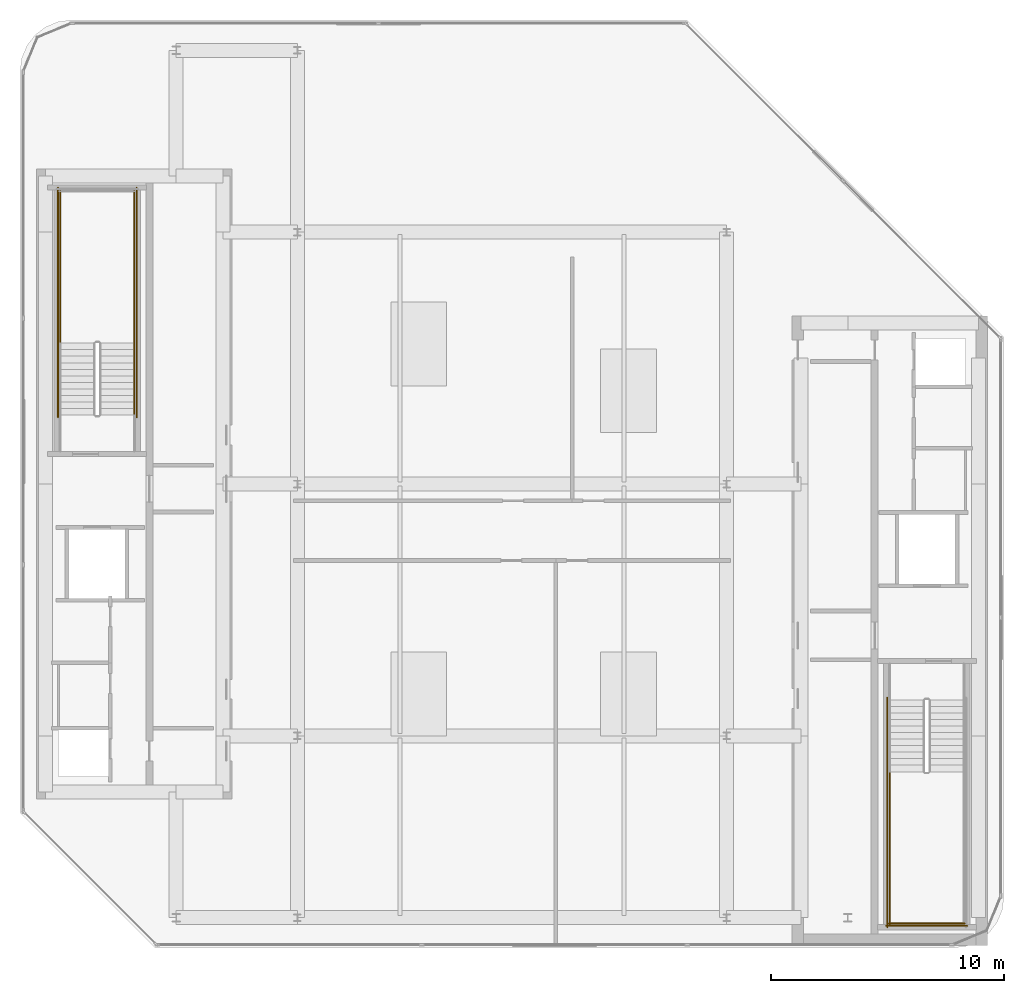
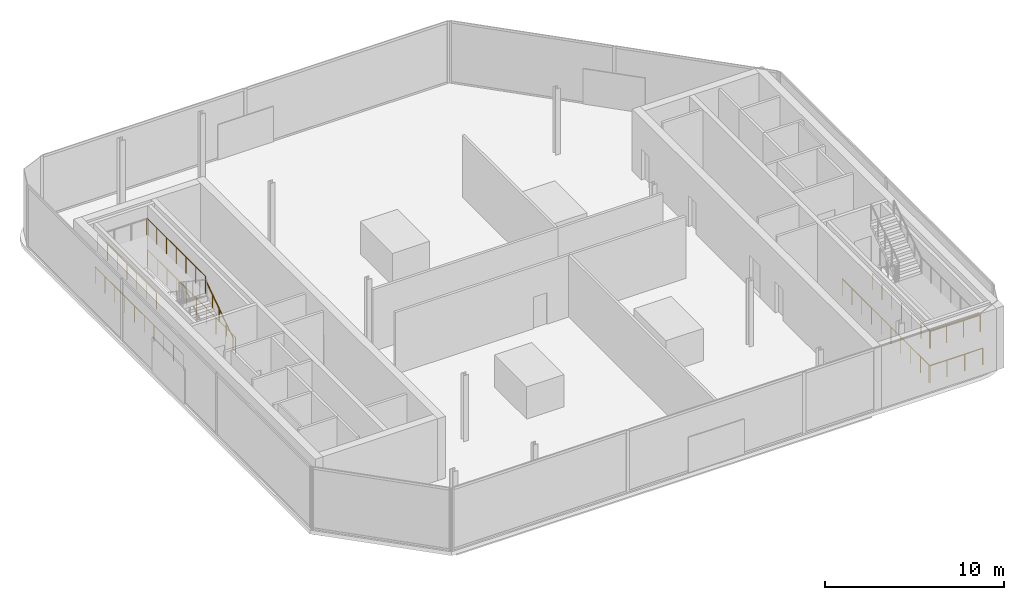
# One storey, part 13 of 15: 9 railings.
"""IFC4 building model written with IfcOpenShell, lengths in metres."""

from ifc_helpers import new_model, si_unit, direction, frame, origin, origin_2d, place, context, subcontext, project, spatial, circle, extrude, material, type_object, element, save


model = new_model("IFC4")

# Units and contexts
model_context = context("Model", 3, precision=1e-05, world=origin(), true_north=direction((0.0, 1.0)))
body_context = subcontext(model_context, "Body", "Model", "MODEL_VIEW")
ifc_project = project(units=[si_unit("LENGTHUNIT", "METRE"), si_unit("AREAUNIT", "SQUARE_METRE"), si_unit("VOLUMEUNIT", "CUBIC_METRE"), si_unit("PLANEANGLEUNIT", "RADIAN"), si_unit("MASSUNIT", "GRAM", prefix="KILO")], contexts=[model_context])

# Site, building, storey
site_placement = place(None, origin())
site = spatial("IfcSite", under=ifc_project, at=site_placement, CompositionType="ELEMENT")
building_placement = place(site_placement, origin())
building = spatial("IfcBuilding", under=site, at=building_placement, Name="Khairoan Windgate Tower", CompositionType="ELEMENT")
storey_placement = place(building_placement, frame((0.0, 0.0, 335.0)))
storey = spatial("IfcBuildingStorey", under=building, at=storey_placement, Name="L80", CompositionType="ELEMENT", Elevation=335.0)

# Railings
ifc_material_1 = material(Name="Anodised Bronze Aluminium 6063-T6", Category="aluminium")
railing_type_1 = type_object("IfcRailingType", Name="Stair Wall Handrail SHR-900", PredefinedType="HANDRAIL", material=ifc_material_1)
railing_1_placement = place(storey_placement, frame((-16.199951171875, 2.9599609375, 0.1875)))
element("IfcRailing", 1, at=railing_1_placement, inside=storey, type_object=railing_type_1, Name="L80 ST2 stair handrail 1", PredefinedType="HANDRAIL", context=body_context, shape_type="SweptSolid", body=[
    extrude(circle(Radius=0.02392578125, at=origin_2d()), frame((0.0, 0.0, 0.8759765625), z_axis=(0.0, 0.830913701846, 0.55640131208), x_axis=(-1.0, 0.0, 0.0)), (0.0, 0.0, 1.0), 3.706787109375),
    extrude(circle(Radius=0.02099609375, at=origin_2d()), origin(), (0.0, 0.0, 1.0), 0.851806640625),
    extrude(circle(Radius=0.02099609375, at=origin_2d()), frame((0.0, 0.77001953125, 0.515625)), (0.0, 0.0, 1.0), 0.851806640625),
    extrude(circle(Radius=0.02099609375, at=origin_2d()), frame((0.0, 1.5400390625, 1.03125)), (0.0, 0.0, 1.0), 0.851806640625),
    extrude(circle(Radius=0.02099609375, at=origin_2d()), frame((0.0, 2.31005859375, 1.546875)), (0.0, 0.0, 1.0), 0.851806640625),
    extrude(circle(Radius=0.02099609375, at=origin_2d()), frame((0.0, 3.080078125, 2.0625)), (0.0, 0.0, 1.0), 0.851806640625),
])
ifc_material_2 = material(Name="Steel S355", Category="steel")
railing_type_2 = type_object("IfcRailingType", Name="Stairwell Safety Guardrail SGR-1150", PredefinedType="GUARDRAIL", material=ifc_material_2)
railing_2_placement = place(storey_placement, frame((16.199951171875, -12.340087890625, 2.25)))
element("IfcRailing", 2, at=railing_2_placement, inside=storey, type_object=railing_type_2, Name="L80 ST1 stair guard 3", PredefinedType="GUARDRAIL", context=body_context, shape_type="SweptSolid", body=[
    extrude(circle(Radius=0.02392578125, at=origin_2d()), frame((0.0, 0.0, 1.1259765625), z_axis=(0.0, -1.0, 0.0), x_axis=(1.0, 0.0, 0.0)), (0.0, 0.0, 1.0), 6.559814453125),
    extrude(circle(Radius=0.02099609375, at=origin_2d()), origin(), (0.0, 0.0, 1.0), 1.101806640625),
    extrude(circle(Radius=0.02099609375, at=origin_2d()), frame((0.0, -1.09326171875, 0.0)), (0.0, 0.0, 1.0), 1.101806640625),
    extrude(circle(Radius=0.02099609375, at=origin_2d()), frame((0.0, -2.1865234375, 0.0)), (0.0, 0.0, 1.0), 1.101806640625),
    extrude(circle(Radius=0.02099609375, at=origin_2d()), frame((0.0, -3.27978515625, 0.0)), (0.0, 0.0, 1.0), 1.101806640625),
    extrude(circle(Radius=0.02099609375, at=origin_2d()), frame((0.0, -4.373291015625, 0.0)), (0.0, 0.0, 1.0), 1.101806640625),
    extrude(circle(Radius=0.02099609375, at=origin_2d()), frame((0.0, -5.466552734375, 0.0)), (0.0, 0.0, 1.0), 1.101806640625),
    extrude(circle(Radius=0.02099609375, at=origin_2d()), frame((0.0, -6.559814453125, 0.0)), (0.0, 0.0, 1.0), 1.101806640625),
])
railing_3_placement = place(storey_placement, frame((16.14990234375, -18.85009765625, 2.25)))
element("IfcRailing", 3, at=railing_3_placement, inside=storey, type_object=railing_type_2, Name="L80 ST1 stair guard 5", PredefinedType="GUARDRAIL", context=body_context, shape_type="SweptSolid", body=[
    extrude(circle(Radius=0.02392578125, at=origin_2d()), frame((0.0, 0.0, 1.1259765625), z_axis=(1.0, 0.0, 0.0), x_axis=(0.0, 1.0, 0.0)), (0.0, 0.0, 1.0), 3.27001953125),
    extrude(circle(Radius=0.02099609375, at=origin_2d()), origin(), (0.0, 0.0, 1.0), 1.101806640625),
    extrude(circle(Radius=0.02099609375, at=origin_2d()), frame((1.090087890625, 0.0, 0.0)), (0.0, 0.0, 1.0), 1.101806640625),
    extrude(circle(Radius=0.02099609375, at=origin_2d()), frame((2.179931640625, 0.0, 0.0)), (0.0, 0.0, 1.0), 1.101806640625),
    extrude(circle(Radius=0.02099609375, at=origin_2d()), frame((3.27001953125, 0.0, 0.0)), (0.0, 0.0, 1.0), 1.101806640625),
])
railing_4_placement = place(storey_placement, frame((16.10009765625, -9.159912109375, 0.0)))
element("IfcRailing", 4, at=railing_4_placement, inside=storey, type_object=railing_type_2, Name="L80 ST1 stair guard 10", PredefinedType="GUARDRAIL", context=body_context, shape_type="SweptSolid", body=[
    extrude(circle(Radius=0.02392578125, at=origin_2d()), frame((0.0, 0.0, 1.1259765625), z_axis=(0.0, -1.0, 0.0), x_axis=(1.0, 0.0, 0.0)), (0.0, 0.0, 1.0), 9.840087890625),
    extrude(circle(Radius=0.02099609375, at=origin_2d()), origin(), (0.0, 0.0, 1.0), 1.101806640625),
    extrude(circle(Radius=0.02099609375, at=origin_2d()), frame((0.0, -1.09326171875, 0.0)), (0.0, 0.0, 1.0), 1.101806640625),
    extrude(circle(Radius=0.02099609375, at=origin_2d()), frame((0.0, -2.186767578125, 0.0)), (0.0, 0.0, 1.0), 1.101806640625),
    extrude(circle(Radius=0.02099609375, at=origin_2d()), frame((0.0, -3.280029296875, 0.0)), (0.0, 0.0, 1.0), 1.101806640625),
    extrude(circle(Radius=0.02099609375, at=origin_2d()), frame((0.0, -4.373291015625, 0.0)), (0.0, 0.0, 1.0), 1.101806640625),
    extrude(circle(Radius=0.02099609375, at=origin_2d()), frame((0.0, -5.466796875, 0.0)), (0.0, 0.0, 1.0), 1.101806640625),
    extrude(circle(Radius=0.02099609375, at=origin_2d()), frame((0.0, -6.56005859375, 0.0)), (0.0, 0.0, 1.0), 1.101806640625),
    extrude(circle(Radius=0.02099609375, at=origin_2d()), frame((0.0, -7.6533203125, 0.0)), (0.0, 0.0, 1.0), 1.101806640625),
    extrude(circle(Radius=0.02099609375, at=origin_2d()), frame((0.0, -8.746826171875, 0.0)), (0.0, 0.0, 1.0), 1.101806640625),
    extrude(circle(Radius=0.02099609375, at=origin_2d()), frame((0.0, -9.840087890625, 0.0)), (0.0, 0.0, 1.0), 1.101806640625),
])
railing_5_placement = place(storey_placement, frame((16.050048828125, -18.949951171875, 0.0)))
element("IfcRailing", 5, at=railing_5_placement, inside=storey, type_object=railing_type_2, Name="L80 ST1 stair guard 12", PredefinedType="GUARDRAIL", context=body_context, shape_type="SweptSolid", body=[
    extrude(circle(Radius=0.02392578125, at=origin_2d()), frame((0.0, 0.0, 1.1259765625), z_axis=(1.0, 0.0, 0.0), x_axis=(0.0, 1.0, 0.0)), (0.0, 0.0, 1.0), 3.469970703125),
    extrude(circle(Radius=0.02099609375, at=origin_2d()), origin(), (0.0, 0.0, 1.0), 1.101806640625),
    extrude(circle(Radius=0.02099609375, at=origin_2d()), frame((1.15673828125, 0.0, 0.0)), (0.0, 0.0, 1.0), 1.101806640625),
    extrude(circle(Radius=0.02099609375, at=origin_2d()), frame((2.313232421875, 0.0, 0.0)), (0.0, 0.0, 1.0), 1.101806640625),
    extrude(circle(Radius=0.02099609375, at=origin_2d()), frame((3.469970703125, 0.0, 0.0)), (0.0, 0.0, 1.0), 1.101806640625),
])
for number, where, name in (
    (6, (-16.199951171875, 6.0400390625, 2.25), "L80 ST2 stair guard 3"),
    (7, (-19.3701171875, 6.0400390625, 2.25), "L80 ST2 stair guard 4"),
):
    element("IfcRailing", number, at=place(storey_placement, frame(where)), inside=storey, type_object=railing_type_2, Name=name, PredefinedType="GUARDRAIL", context=body_context, shape_type="SweptSolid", body=[
        extrude(circle(Radius=0.02392578125, at=origin_2d()), frame((0.0, 0.0, 1.1259765625), z_axis=(0.0, 1.0, 0.0), x_axis=(-1.0, 0.0, 0.0)), (0.0, 0.0, 1.0), 6.56005859375),
        extrude(circle(Radius=0.02099609375, at=origin_2d()), origin(), (0.0, 0.0, 1.0), 1.101806640625),
        extrude(circle(Radius=0.02099609375, at=origin_2d()), frame((0.0, 1.09326171875, 0.0)), (0.0, 0.0, 1.0), 1.101806640625),
        extrude(circle(Radius=0.02099609375, at=origin_2d()), frame((0.0, 2.186767578125, 0.0)), (0.0, 0.0, 1.0), 1.101806640625),
        extrude(circle(Radius=0.02099609375, at=origin_2d()), frame((0.0, 3.280029296875, 0.0)), (0.0, 0.0, 1.0), 1.101806640625),
        extrude(circle(Radius=0.02099609375, at=origin_2d()), frame((0.0, 4.373291015625, 0.0)), (0.0, 0.0, 1.0), 1.101806640625),
        extrude(circle(Radius=0.02099609375, at=origin_2d()), frame((0.0, 5.466796875, 0.0)), (0.0, 0.0, 1.0), 1.101806640625),
        extrude(circle(Radius=0.02099609375, at=origin_2d()), frame((0.0, 6.56005859375, 0.0)), (0.0, 0.0, 1.0), 1.101806640625),
    ])
for number, where, name in (
    (8, (-16.10009765625, 2.860107421875, 0.0), "L80 ST2 stair guard 10"),
    (9, (-19.469970703125, 2.860107421875, 0.0), "L80 ST2 stair guard 11"),
):
    element("IfcRailing", number, at=place(storey_placement, frame(where)), inside=storey, type_object=railing_type_2, Name=name, PredefinedType="GUARDRAIL", context=body_context, shape_type="SweptSolid", body=[
        extrude(circle(Radius=0.02392578125, at=origin_2d()), frame((0.0, 0.0, 1.1259765625), z_axis=(0.0, 1.0, 0.0), x_axis=(-1.0, 0.0, 0.0)), (0.0, 0.0, 1.0), 9.83984375),
        extrude(circle(Radius=0.02099609375, at=origin_2d()), origin(), (0.0, 0.0, 1.0), 1.101806640625),
        extrude(circle(Radius=0.02099609375, at=origin_2d()), frame((0.0, 1.09326171875, 0.0)), (0.0, 0.0, 1.0), 1.101806640625),
        extrude(circle(Radius=0.02099609375, at=origin_2d()), frame((0.0, 2.1865234375, 0.0)), (0.0, 0.0, 1.0), 1.101806640625),
        extrude(circle(Radius=0.02099609375, at=origin_2d()), frame((0.0, 3.280029296875, 0.0)), (0.0, 0.0, 1.0), 1.101806640625),
        extrude(circle(Radius=0.02099609375, at=origin_2d()), frame((0.0, 4.373291015625, 0.0)), (0.0, 0.0, 1.0), 1.101806640625),
        extrude(circle(Radius=0.02099609375, at=origin_2d()), frame((0.0, 5.466552734375, 0.0)), (0.0, 0.0, 1.0), 1.101806640625),
        extrude(circle(Radius=0.02099609375, at=origin_2d()), frame((0.0, 6.559814453125, 0.0)), (0.0, 0.0, 1.0), 1.101806640625),
        extrude(circle(Radius=0.02099609375, at=origin_2d()), frame((0.0, 7.6533203125, 0.0)), (0.0, 0.0, 1.0), 1.101806640625),
        extrude(circle(Radius=0.02099609375, at=origin_2d()), frame((0.0, 8.74658203125, 0.0)), (0.0, 0.0, 1.0), 1.101806640625),
        extrude(circle(Radius=0.02099609375, at=origin_2d()), frame((0.0, 9.83984375, 0.0)), (0.0, 0.0, 1.0), 1.101806640625),
    ])

save(model, "model.ifc")
